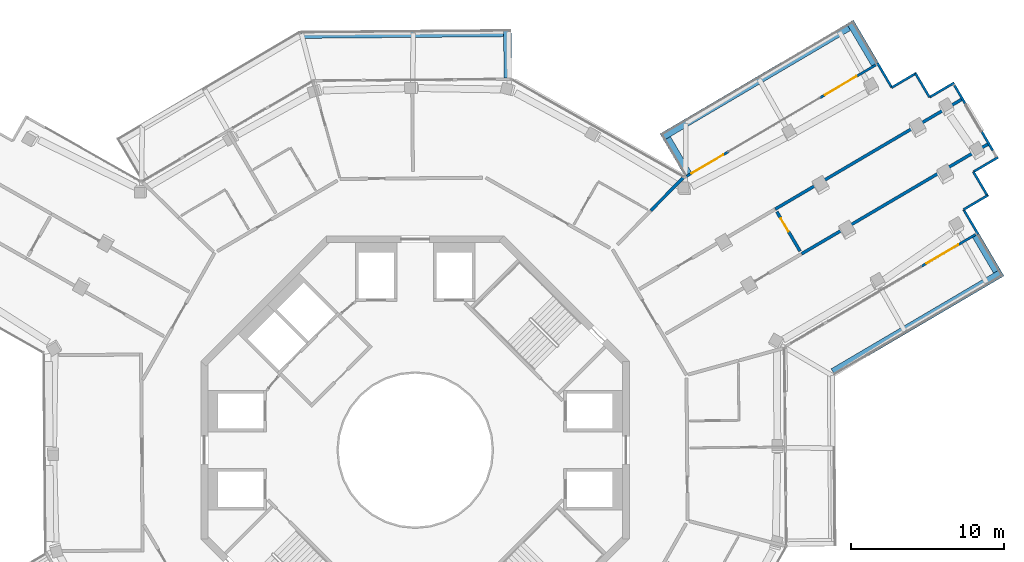
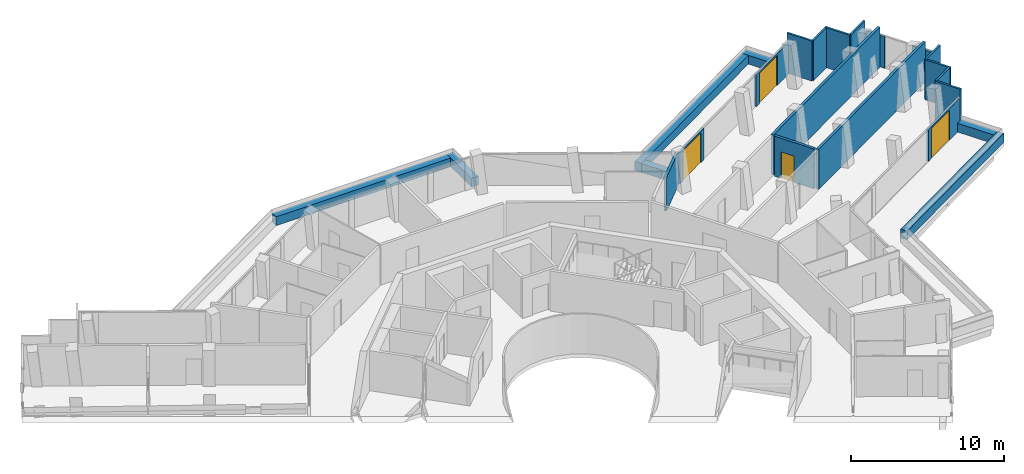
# One storey, part 23 of 26: 24 walls, 4 doors, 4 openings.
"""IFC4 building model written with IfcOpenShell, lengths in metres."""

from ifc_helpers import new_model, si_unit, direction, frame, frame_2d, origin, place, context, subcontext, project, spatial, rectangle, extrude, material, layer, layer_set, type_object, element, fill, save


model = new_model("IFC4")

# Units and contexts
model_context = context("Model", 3, precision=1e-05, world=origin(), true_north=direction((0.0, 1.0)))
body_context = subcontext(model_context, "Body", "Model", "MODEL_VIEW")
ifc_project = project(units=[si_unit("LENGTHUNIT", "METRE"), si_unit("AREAUNIT", "SQUARE_METRE"), si_unit("VOLUMEUNIT", "CUBIC_METRE"), si_unit("PLANEANGLEUNIT", "RADIAN"), si_unit("MASSUNIT", "GRAM", prefix="KILO")], contexts=[model_context])

# Site, building, storey
site_placement = place(None, origin())
site = spatial("IfcSite", under=ifc_project, at=site_placement, CompositionType="ELEMENT")
building_placement = place(site_placement, origin())
building = spatial("IfcBuilding", under=site, at=building_placement, Name="Verdalira Terraces Hotel", CompositionType="ELEMENT")
storey_placement = place(building_placement, frame((0.0, 0.0, 281.0)))
storey = spatial("IfcBuildingStorey", under=building, at=storey_placement, Name="L69", CompositionType="ELEMENT", Elevation=281.0)

# Walls
ifc_material_1 = material(Name="Concrete C40", Category="concrete")
ifc_layer_1 = layer(ifc_material_1, 0.5)
ifc_layer_set_1 = layer_set([ifc_layer_1], Name="Balcony planter trough with tree")
wall_type_1 = type_object("IfcWallType", Name="Balcony planter trough with tree", PredefinedType="SOLIDWALL", material=ifc_layer_set_1)
wall_1_placement = place(storey_placement, frame((27.291504, 5.0979, 0.0), z_axis=(0.0, 0.0, 1.0), x_axis=(0.86180683, 0.507236619, 0.0)))
element("IfcWall", 1, at=wall_1_placement, inside=storey, type_object=wall_type_1, Name="Balcony planter", PredefinedType="SOLIDWALL", context=body_context, shape_type="SweptSolid", body=[
    extrude(rectangle(XDim=12.8125, YDim=0.5, at=frame_2d((6.40625, 0.0))), origin(), (0.0, 0.0, 1.0), 0.699951),
])
wall_2_placement = place(storey_placement, frame((37.991211, 11.685547, 0.0), z_axis=(0.0, 0.0, 1.0), x_axis=(-0.507213825, 0.861820245, 0.0)))
element("IfcWall", 2, at=wall_2_placement, inside=storey, type_object=wall_type_1, Name="Balcony planter", PredefinedType="SOLIDWALL", context=body_context, shape_type="SweptSolid", body=[
    extrude(rectangle(XDim=2.698975, YDim=0.5, at=frame_2d((1.349609, 0.0))), origin(), (0.0, 0.0, 1.0), 0.699951),
])
wall_3_placement = place(storey_placement, frame((30.0271, 25.216797, 0.0), z_axis=(0.0, 0.0, 1.0), x_axis=(-0.507226904, 0.861812548, 0.0)))
element("IfcWall", 3, at=wall_3_placement, inside=storey, type_object=wall_type_1, Name="Balcony planter", PredefinedType="SOLIDWALL", context=body_context, shape_type="SweptSolid", body=[
    extrude(rectangle(XDim=3.198975, YDim=0.5, at=frame_2d((1.599609, 0.0))), origin(), (0.0, 0.0, 1.0), 0.699951),
])
wall_4_placement = place(storey_placement, frame((28.315918, 27.631348, 0.0), z_axis=(0.0, 0.0, 1.0), x_axis=(-0.861805653, -0.507238618, 0.0)))
element("IfcWall", 4, at=wall_4_placement, inside=storey, type_object=wall_type_1, Name="Balcony planter", PredefinedType="SOLIDWALL", context=body_context, shape_type="SweptSolid", body=[
    extrude(rectangle(XDim=14.160156, YDim=0.5, at=frame_2d((7.080078, 0.0))), origin(), (0.0, 0.0, 1.0), 0.699951),
])
wall_5_placement = place(storey_placement, frame((16.454834, 20.360107, 0.0), z_axis=(0.0, 0.0, 1.0), x_axis=(0.507281009, -0.861780702, 0.0)))
element("IfcWall", 5, at=wall_5_placement, inside=storey, type_object=wall_type_1, Name="Balcony planter", PredefinedType="SOLIDWALL", context=body_context, shape_type="SweptSolid", body=[
    extrude(rectangle(XDim=2.698975, YDim=0.5, at=frame_2d((1.349609, 0.0))), origin(), (0.0, 0.0, 1.0), 0.699951),
])
wall_6_placement = place(storey_placement, frame((6.046631, 24.310791, 0.0), z_axis=(0.0, 0.0, 1.0), x_axis=(-0.008394728, 0.999964764, 0.0)))
element("IfcWall", 6, at=wall_6_placement, inside=storey, type_object=wall_type_1, Name="Balcony planter", PredefinedType="SOLIDWALL", context=body_context, shape_type="SweptSolid", body=[
    extrude(rectangle(XDim=3.198975, YDim=0.5, at=frame_2d((1.599609, 0.0))), origin(), (0.0, 0.0, 1.0), 0.699951),
])
wall_7_placement = place(storey_placement, frame((5.771973, 27.257568, 0.0), z_axis=(0.0, 0.0, 1.0), x_axis=(-0.999965025, -0.008363505, 0.0)))
element("IfcWall", 7, at=wall_7_placement, inside=storey, type_object=wall_type_1, Name="Balcony planter", PredefinedType="SOLIDWALL", context=body_context, shape_type="SweptSolid", body=[
    extrude(rectangle(XDim=13.223633, YDim=0.5, at=frame_2d((6.611816, 0.0))), origin(), (0.0, 0.0, 1.0), 0.699951),
])

# Wall, opening, door
ifc_material_2 = material(Name="Fire-rated gypsum board wall")
ifc_layer_2 = layer(ifc_material_2, 0.199951171875)
ifc_layer_set_2 = layer_set([ifc_layer_2], Name="Demising wall 200 mm")
wall_type_2 = type_object("IfcWallType", Name="Demising wall 200 mm", PredefinedType="SOLIDWALL", material=ifc_layer_set_2)
wall_8_placement = place(storey_placement, frame((23.621582, 15.57666, 0.0), z_axis=(0.0, 0.0, 1.0), x_axis=(0.507251952, -0.861797805, 0.0)))
wall_8 = element("IfcWall", 8, at=wall_8_placement, inside=storey, type_object=wall_type_2, Name="Demising wall", PredefinedType="SOLIDWALL", context=body_context, shape_type="SweptSolid", body=[
    extrude(rectangle(XDim=2.991211, YDim=0.199951, at=frame_2d((1.495605, 0.0))), origin(), (0.0, 0.0, 1.0), 3.189941),
])
opening_1_placement = place(wall_8_placement, frame((0.5, 0.0, 0.0)))
opening_1 = element("IfcOpeningElement", 9, at=opening_1_placement, cuts=wall_8, Name="Opening L69-127", PredefinedType="OPENING", context=body_context, shape_type="SweptSolid", body=[
    extrude(rectangle(XDim=1.0, YDim=2.100098, at=frame_2d((0.5, 1.050049))), frame((0.0, 0.109863, 0.0), z_axis=(0.0, -1.0, 0.0), x_axis=(1.0, 0.0, 0.0)), (0.0, 0.0, 1.0), 0.219971),
])
ifc_material_3 = material(Name="Timber fire door", Category="wood")
door_type_1 = type_object("IfcDoorType", Name="Public room door 1000 x 2100", OperationType="NOTDEFINED", PredefinedType="DOOR", material=ifc_material_3)
door_1_placement = place(opening_1_placement, origin())
door_1 = element("IfcDoor", 10, at=door_1_placement, inside=storey, type_object=door_type_1, Name="Public room door 6908", OperationType="SINGLE_SWING_LEFT", OverallHeight=2.10009765625, OverallWidth=1.0, PredefinedType="DOOR", context=body_context, shape_type="SweptSolid", body=[
    extrude(rectangle(XDim=1.0, YDim=2.100098, at=frame_2d((0.5, 1.050049))), frame((0.0, 0.024902, 0.0), z_axis=(0.0, -1.0, 0.0), x_axis=(1.0, 0.0, 0.0)), (0.0, 0.0, 1.0), 0.050049),
])
fill(opening_1, door_1)

# Walls
wall_9_placement = place(storey_placement, frame((35.68042, 22.90625, 0.0), z_axis=(0.0, 0.0, 1.0), x_axis=(-0.861809666, -0.507231801, 0.0)))
element("IfcWall", 11, at=wall_9_placement, inside=storey, type_object=wall_type_2, Name="Demising wall", PredefinedType="SOLIDWALL", context=body_context, shape_type="SweptSolid", body=[
    extrude(rectangle(XDim=14.112305, YDim=0.199951, at=frame_2d((7.056152, 0.0))), origin(), (0.0, 0.0, 1.0), 3.189941),
])
wall_10_placement = place(storey_placement, frame((25.23877, 12.825195, 0.0), z_axis=(0.0, 0.0, 1.0), x_axis=(0.861805215, 0.507239364, 0.0)))
element("IfcWall", 12, at=wall_10_placement, inside=storey, type_object=wall_type_2, Name="Demising wall", PredefinedType="SOLIDWALL", context=body_context, shape_type="SweptSolid", body=[
    extrude(rectangle(XDim=14.112061, YDim=0.199951, at=frame_2d((7.056152, 0.0))), origin(), (0.0, 0.0, 1.0), 3.189941),
])
ifc_material_4 = material(Name="Fire-rated gypsum board wall")
ifc_layer_3 = layer(ifc_material_4, 0.199951171875)
ifc_layer_set_3 = layer_set([ifc_layer_3], Name="Demising wall 200 mm to beam soffit")
wall_type_3 = type_object("IfcWallType", Name="Demising wall 200 mm to beam soffit", PredefinedType="SOLIDWALL", material=ifc_layer_set_3)
wall_11_placement = place(storey_placement, frame((15.392334, 15.652344, 0.0), z_axis=(0.0, 0.0, 1.0), x_axis=(0.701163994, 0.713000038, 0.0)))
element("IfcWall", 13, at=wall_11_placement, inside=storey, type_object=wall_type_3, Name="Demising wall", PredefinedType="SOLIDWALL", context=body_context, shape_type="SweptSolid", body=[
    extrude(rectangle(XDim=3.011475, YDim=0.199951, at=frame_2d((1.505859, 0.0))), origin(), (0.0, 0.0, 1.0), 2.689941),
])
ifc_material_5 = material(Name="Terracotta cladding", Category="masonry")
ifc_layer_4 = layer(ifc_material_5, 0.14990234375)
ifc_layer_set_4 = layer_set([ifc_layer_4], Name="Terracotta clad wall 150")
wall_type_4 = type_object("IfcWallType", Name="Terracotta clad wall 150", PredefinedType="SOLIDWALL", material=ifc_layer_set_4)
wall_12_placement = place(storey_placement, frame((36.772461, 14.101074, 0.0), z_axis=(0.0, 0.0, 1.0), x_axis=(-0.507162378, 0.861850522, 0.0)))
element("IfcWall", 14, at=wall_12_placement, inside=storey, type_object=wall_type_4, Name="Terracotta cladding wall", PredefinedType="SOLIDWALL", context=body_context, shape_type="SweptSolid", body=[
    extrude(rectangle(XDim=1.875, YDim=0.149902, at=frame_2d((0.9375, 0.0))), origin(), (0.0, 0.0, 1.0), 3.189941),
])
wall_13_placement = place(storey_placement, frame((35.821533, 15.717041, 0.0), z_axis=(0.0, 0.0, 1.0), x_axis=(0.861794717, 0.507257199, 0.0)))
element("IfcWall", 15, at=wall_13_placement, inside=storey, type_object=wall_type_4, Name="Terracotta cladding wall", PredefinedType="SOLIDWALL", context=body_context, shape_type="SweptSolid", body=[
    extrude(rectangle(XDim=1.800049, YDim=0.149902, at=frame_2d((0.899902, 0.0))), origin(), (0.0, 0.0, 1.0), 3.189941),
])
for number, where, z_axis, x_axis, name in (
    (16, (37.410889, 16.56543, 0.0), (0.0, 0.0, 1.0), (-0.507316008, 0.861760099, 0.0), "Terracotta cladding wall"),
    (17, (36.459717, 18.181152, 0.0), (0.0, 0.0, 1.0), (0.861793606, 0.507259086, 0.0), "Terracotta cladding wall"),
    (18, (35.209717, 24.001465, 0.0), (0.0, 0.0, 1.0), (-0.861850522, -0.507162378, 0.0), "Terracotta cladding wall"),
):
    element("IfcWall", number, at=place(storey_placement, frame(where, z_axis=z_axis, x_axis=x_axis)), inside=storey, type_object=wall_type_4, Name=name, PredefinedType="SOLIDWALL", context=body_context, shape_type="SweptSolid", body=[
        extrude(rectangle(XDim=1.875, YDim=0.149902, at=frame_2d((0.9375, 0.0))), origin(), (0.0, 0.0, 1.0), 3.189941),
    ])
wall_14_placement = place(storey_placement, frame((33.59375, 23.050537, 0.0), z_axis=(0.0, 0.0, 1.0), x_axis=(-0.507156457, 0.861854006, 0.0)))
element("IfcWall", 19, at=wall_14_placement, inside=storey, type_object=wall_type_4, Name="Terracotta cladding wall", PredefinedType="SOLIDWALL", context=body_context, shape_type="SweptSolid", body=[
    extrude(rectangle(XDim=1.799805, YDim=0.149902, at=frame_2d((0.899902, 0.0))), origin(), (0.0, 0.0, 1.0), 3.189941),
])
for number, where, z_axis, x_axis, name in (
    (20, (32.745361, 24.639893, 0.0), (0.0, 0.0, 1.0), (-0.861760099, -0.507316008, 0.0), "Terracotta cladding wall"),
    (21, (31.129639, 23.688721, 0.0), (0.0, 0.0, 1.0), (-0.507259086, 0.861793606, 0.0), "Terracotta cladding wall"),
):
    element("IfcWall", number, at=place(storey_placement, frame(where, z_axis=z_axis, x_axis=x_axis)), inside=storey, type_object=wall_type_4, Name=name, PredefinedType="SOLIDWALL", context=body_context, shape_type="SweptSolid", body=[
        extrude(rectangle(XDim=1.875, YDim=0.149902, at=frame_2d((0.9375, 0.0))), origin(), (0.0, 0.0, 1.0), 3.189941),
    ])
ifc_material_6 = material(Name="Terracotta cladding", Category="masonry")
ifc_layer_5 = layer(ifc_material_6, 0.14990234375)
ifc_layer_set_5 = layer_set([ifc_layer_5], Name="Terracotta column pier 150")
wall_type_5 = type_object("IfcWallType", Name="Terracotta column pier 150", PredefinedType="SOLIDWALL", material=ifc_layer_set_5)
wall_15_placement = place(storey_placement, frame((37.729492, 19.57251, 0.0), z_axis=(0.0, 0.0, 1.0), x_axis=(-0.507242525, 0.861803354, 0.0)))
element("IfcWall", 22, at=wall_15_placement, inside=storey, type_object=wall_type_5, Name="Terracotta column pier", PredefinedType="SOLIDWALL", context=body_context, shape_type="SweptSolid", body=[
    extrude(rectangle(XDim=1.439209, YDim=0.149902, at=frame_2d((0.719727, 0.0))), origin(), (0.0, 0.0, 1.0), 2.524902),
])
wall_16_placement = place(storey_placement, frame((35.964355, 22.571777, 0.0), z_axis=(0.0, 0.0, 1.0), x_axis=(-0.507370877, 0.861727795, 0.0)))
element("IfcWall", 23, at=wall_16_placement, inside=storey, type_object=wall_type_5, Name="Terracotta column pier", PredefinedType="SOLIDWALL", context=body_context, shape_type="SweptSolid", body=[
    extrude(rectangle(XDim=1.459961, YDim=0.149902, at=frame_2d((0.72998, 0.0))), origin(), (0.0, 0.0, 1.0), 2.524902),
])

# Wall, opening, door
ifc_material_7 = material(Name="Terracotta cladding", Category="masonry")
ifc_layer_6 = layer(ifc_material_7, 0.14990234375)
ifc_layer_set_6 = layer_set([ifc_layer_6], Name="Terracotta door pier 150")
wall_type_6 = type_object("IfcWallType", Name="Terracotta door pier 150", PredefinedType="SOLIDWALL", material=ifc_layer_set_6)
wall_17_placement = place(storey_placement, frame((33.058838, 12.002441, 0.0), z_axis=(0.0, 0.0, 1.0), x_axis=(0.861812328, 0.507227278, 0.0)))
wall_17 = element("IfcWall", 24, at=wall_17_placement, inside=storey, type_object=wall_type_6, Name="Terracotta door pier", PredefinedType="SOLIDWALL", context=body_context, shape_type="SweptSolid", body=[
    extrude(rectangle(XDim=4.120117, YDim=0.149902, at=frame_2d((2.060059, 0.0))), origin(), (0.0, 0.0, 1.0), 2.524902),
])
opening_2_placement = place(wall_17_placement, frame((0.399902, 0.0, 0.0)))
opening_2 = element("IfcOpeningElement", 25, at=opening_2_placement, cuts=wall_17, Name="Opening L69-B11", PredefinedType="OPENING", context=body_context, shape_type="SweptSolid", body=[
    extrude(rectangle(XDim=2.399902, YDim=2.399902, at=frame_2d((1.199951, 1.199951))), frame((0.0, 0.084961, 0.0), z_axis=(0.0, -1.0, 0.0), x_axis=(1.0, 0.0, 0.0)), (0.0, 0.0, 1.0), 0.169922),
])
ifc_material_8 = material(Name="Clear glass", Category="glass")
door_type_2 = type_object("IfcDoorType", Name="Balcony sliding door 2400x2400", OperationType="NOTDEFINED", PredefinedType="DOOR", material=ifc_material_8)
door_2_placement = place(opening_2_placement, origin())
door_2 = element("IfcDoor", 26, at=door_2_placement, inside=storey, type_object=door_type_2, Name="Balcony sliding door", OperationType="SLIDING_TO_RIGHT", OverallHeight=2.39990234375, OverallWidth=2.39990234375, PredefinedType="DOOR", context=body_context, shape_type="SweptSolid", body=[
    extrude(rectangle(XDim=2.399902, YDim=2.399902, at=frame_2d((1.199951, 1.199951))), frame((0.0, 0.024902, 0.0), z_axis=(0.0, -1.0, 0.0), x_axis=(1.0, 0.0, 0.0)), (0.0, 0.0, 1.0), 0.050049),
])
fill(opening_2, door_2)

wall_18_placement = place(storey_placement, frame((30.091553, 25.166504, 0.0), z_axis=(0.0, 0.0, 1.0), x_axis=(-0.861806017, -0.507238001, 0.0)))
wall_18 = element("IfcWall", 27, at=wall_18_placement, inside=storey, type_object=wall_type_6, Name="Terracotta door pier", PredefinedType="SOLIDWALL", context=body_context, shape_type="SweptSolid", body=[
    extrude(rectangle(XDim=4.26001, YDim=0.149902, at=frame_2d((2.129883, 0.0))), origin(), (0.0, 0.0, 1.0), 2.524902),
])
opening_3_placement = place(wall_18_placement, frame((1.459961, 0.0, 0.0)))
opening_3 = element("IfcOpeningElement", 28, at=opening_3_placement, cuts=wall_18, Name="Opening L69-B12", PredefinedType="OPENING", context=body_context, shape_type="SweptSolid", body=[
    extrude(rectangle(XDim=2.399902, YDim=2.399902, at=frame_2d((1.199951, 1.199951))), frame((0.0, 0.084961, 0.0), z_axis=(0.0, -1.0, 0.0), x_axis=(1.0, 0.0, 0.0)), (0.0, 0.0, 1.0), 0.169922),
])
door_3_placement = place(opening_3_placement, origin())
door_3 = element("IfcDoor", 29, at=door_3_placement, inside=storey, type_object=door_type_2, Name="Balcony sliding door", OperationType="SLIDING_TO_LEFT", OverallHeight=2.39990234375, OverallWidth=2.39990234375, PredefinedType="DOOR", context=body_context, shape_type="SweptSolid", body=[
    extrude(rectangle(XDim=2.399902, YDim=2.399902, at=frame_2d((1.199951, 1.199951))), frame((0.0, 0.024902, 0.0), z_axis=(0.0, -1.0, 0.0), x_axis=(1.0, 0.0, 0.0)), (0.0, 0.0, 1.0), 0.050049),
])
fill(opening_3, door_3)

wall_19_placement = place(storey_placement, frame((20.465088, 19.500488, 0.0), z_axis=(0.0, 0.0, 1.0), x_axis=(-0.861824362, -0.507206831, 0.0)))
wall_19 = element("IfcWall", 30, at=wall_19_placement, inside=storey, type_object=wall_type_6, Name="Terracotta door pier", PredefinedType="SOLIDWALL", context=body_context, shape_type="SweptSolid", body=[
    extrude(rectangle(XDim=3.199951, YDim=0.149902, at=frame_2d((1.600098, 0.0))), origin(), (0.0, 0.0, 1.0), 2.524902),
])
opening_4_placement = place(wall_19_placement, frame((0.399902, 0.0, 0.0)))
opening_4 = element("IfcOpeningElement", 31, at=opening_4_placement, cuts=wall_19, Name="Opening L69-B13", PredefinedType="OPENING", context=body_context, shape_type="SweptSolid", body=[
    extrude(rectangle(XDim=2.399902, YDim=2.399902, at=frame_2d((1.199951, 1.199951))), frame((0.0, 0.084961, 0.0), z_axis=(0.0, -1.0, 0.0), x_axis=(1.0, 0.0, 0.0)), (0.0, 0.0, 1.0), 0.169922),
])
door_4_placement = place(opening_4_placement, origin())
door_4 = element("IfcDoor", 32, at=door_4_placement, inside=storey, type_object=door_type_2, Name="Balcony sliding door", OperationType="SLIDING_TO_RIGHT", OverallHeight=2.39990234375, OverallWidth=2.39990234375, PredefinedType="DOOR", context=body_context, shape_type="SweptSolid", body=[
    extrude(rectangle(XDim=2.399902, YDim=2.399902, at=frame_2d((1.199951, 1.199951))), frame((0.0, 0.024902, 0.0), z_axis=(0.0, -1.0, 0.0), x_axis=(1.0, 0.0, 0.0)), (0.0, 0.0, 1.0), 0.050049),
])
fill(opening_4, door_4)

save(model, "model.ifc")
